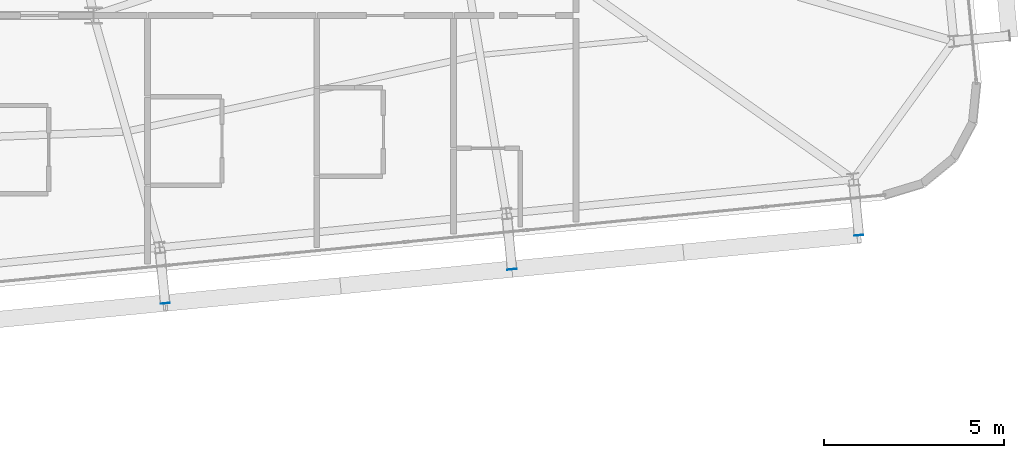
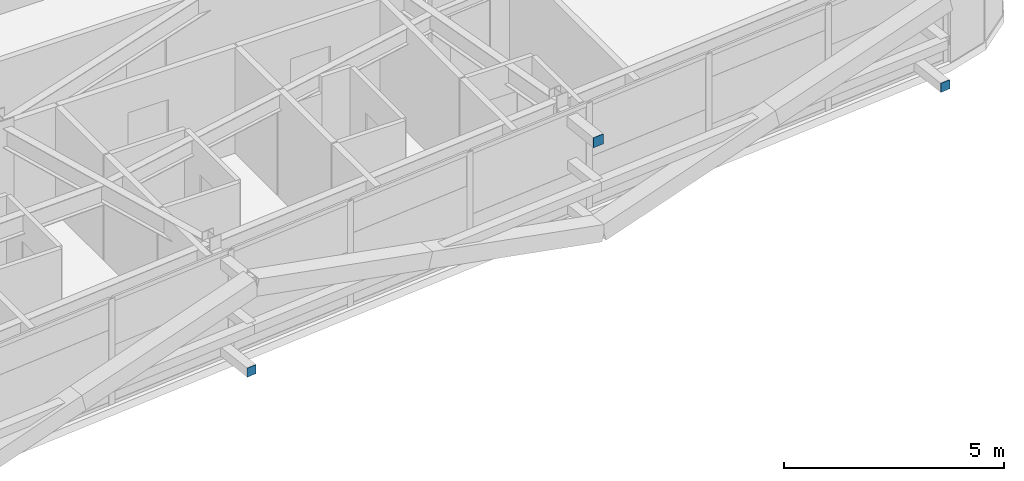
# One storey, part 41 of 54: 3 plates.
"""IFC4 building model written with IfcOpenShell, lengths in metres."""

from ifc_helpers import new_model, si_unit, direction, frame, origin, origin_2d, place, context, subcontext, project, spatial, rectangle, extrude, source, transform, mapped, material, layer, layer_set, type_object, element, save


model = new_model("IFC4")

# Units and contexts
model_context = context("Model", 3, precision=1e-05, world=origin(), true_north=direction((0.0, 1.0)))
body_context = subcontext(model_context, "Body", "Model", "MODEL_VIEW")
ifc_project = project(units=[si_unit("LENGTHUNIT", "METRE"), si_unit("AREAUNIT", "SQUARE_METRE"), si_unit("VOLUMEUNIT", "CUBIC_METRE"), si_unit("PLANEANGLEUNIT", "RADIAN"), si_unit("MASSUNIT", "GRAM", prefix="KILO")], contexts=[model_context])

# Site, building, storey
site_placement = place(None, origin())
site = spatial("IfcSite", under=ifc_project, at=site_placement, CompositionType="ELEMENT")
building_placement = place(site_placement, origin())
building = spatial("IfcBuilding", under=site, at=building_placement, Name="Taldren Reach Tower", CompositionType="ELEMENT")
storey_placement = place(building_placement, frame((0.0, 0.0, 99.75)))
storey = spatial("IfcBuildingStorey", under=building, at=storey_placement, Name="L30", CompositionType="ELEMENT", Elevation=99.75)

# Plates
ifc_material_1 = material(Name="Steel Gr 450 (C450L0)", Category="steel")
ifc_layer_1 = layer(ifc_material_1, 0.011962890625)
ifc_layer_set_1 = layer_set([ifc_layer_1], Name="Steel Gr 450 (C450L0)")
plate_type_1 = type_object("IfcPlateType", Name="PL-CAP-275", PredefinedType="SHEET", material=ifc_layer_set_1)
shared_shape_1 = source(origin(), body_context, "Body", "SweptSolid", [
    extrude(rectangle(XDim=0.27490234375, YDim=0.011962890625, at=origin_2d()), origin(), (0.0, 0.0, 1.0), 0.27490234375),
])
plate_placement = place(storey_placement, frame((53.62109375, 2.14990234375, 2.512451171875), z_axis=(0.0, 0.0, 1.0), x_axis=(0.995227399982, 0.097582899759, 0.0)))
element("IfcPlate", 1, at=plate_placement, inside=storey, type_object=plate_type_1, Name="Tie strut end cap plate B2-S5 L30", PredefinedType="SHEET", context=body_context, shape_type="MappedRepresentation", body=[
    mapped(shared_shape_1, transform((0.0, 0.0, 0.0), scale=1.0)),
])
ifc_material_2 = material(Name="Steel Gr 350 (C350L0)", Category="steel")
ifc_layer_2 = layer(ifc_material_2, 0.011962890625)
ifc_layer_set_2 = layer_set([ifc_layer_2], Name="Steel Gr 350 (C350L0)")
plate_type_2 = type_object("IfcPlateType", Name="PL-CAP-250", PredefinedType="SHEET", material=ifc_layer_set_2)
shared_shape_2 = source(origin(), body_context, "Body", "SweptSolid", [
    extrude(rectangle(XDim=0.25, YDim=0.011962890625, at=origin_2d()), origin(), (0.0, 0.0, 1.0), 0.25),
])
for number, where, z_axis, x_axis, name in (
    (2, (43.9873046875, 1.205322265625, 0.094970703125), (0.0, 0.0, 1.0), (0.995227399982, 0.097582899759, 0.0), "Tie strut end cap plate B2-S4 L30"),
    (3, (63.255126953125, 3.094482421875, 0.094970703125), (0.0, 0.0, 1.0), (0.995227399982, 0.097582899759, 0.0), "Tie strut end cap plate B2-S6 L30"),
):
    element("IfcPlate", number, at=place(storey_placement, frame(where, z_axis=z_axis, x_axis=x_axis)), inside=storey, type_object=plate_type_2, Name=name, PredefinedType="SHEET", context=body_context, shape_type="MappedRepresentation", body=[
        mapped(shared_shape_2, transform((0.0, 0.0, 0.0), scale=1.0)),
    ])

save(model, "model.ifc")
